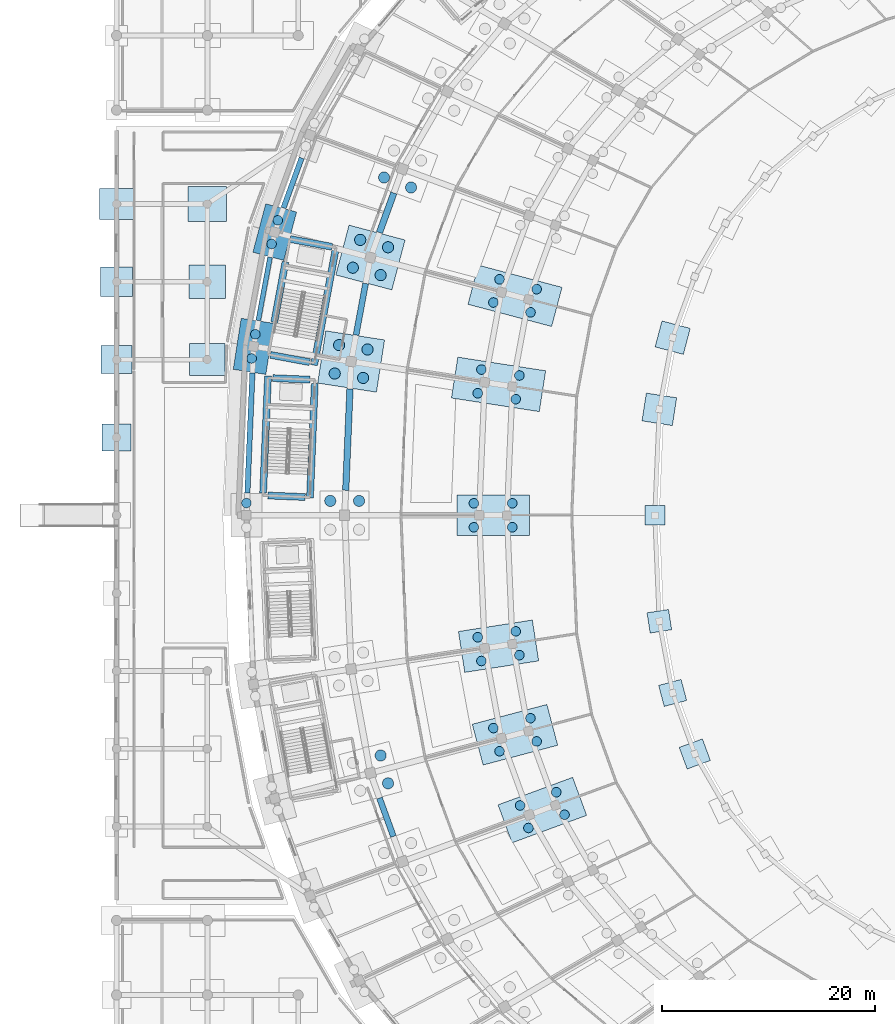
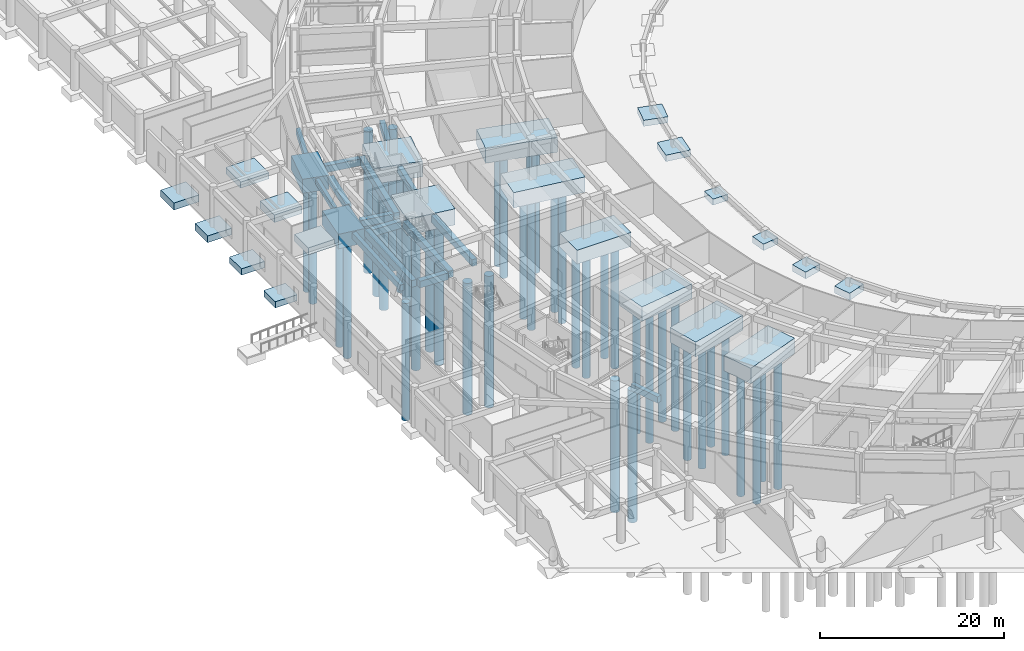
# One storey, part 4 of 88: 43 piles, 38 footings.
"""IFC4 building model written with IfcOpenShell, lengths in metres."""

from ifc_helpers import new_model, si_unit, direction, frame, origin, origin_2d, place, context, subcontext, project, spatial, rectangle, circle, extrude, material, material_profile, profile_set, type_object, element, save


model = new_model("IFC4")

# Units and contexts
model_context = context("Model", 3, precision=1e-05, world=origin(), true_north=direction((0.0, 1.0)))
body_context = subcontext(model_context, "Body", "Model", "MODEL_VIEW")
ifc_project = project(units=[si_unit("LENGTHUNIT", "METRE"), si_unit("AREAUNIT", "SQUARE_METRE"), si_unit("VOLUMEUNIT", "CUBIC_METRE"), si_unit("PLANEANGLEUNIT", "RADIAN"), si_unit("MASSUNIT", "GRAM", prefix="KILO")], contexts=[model_context])

# Site, building, storey
site_placement = place(None, origin())
site = spatial("IfcSite", under=ifc_project, at=site_placement, CompositionType="ELEMENT")
building_placement = place(site_placement, origin())
building = spatial("IfcBuilding", under=site, at=building_placement, Name="Mphavela Belvedere Stadium", CompositionType="ELEMENT")
storey_placement = place(building_placement, origin())
storey = spatial("IfcBuildingStorey", under=building, at=storey_placement, Name="L00", CompositionType="ELEMENT", Elevation=0.0)

# Footings
ifc_material_1 = material(Name="Concrete C35/45", Category="concrete")
footing_type_1 = type_object("IfcFootingType", Name="FTG-CORE-CF01", PredefinedType="PAD_FOOTING", material=ifc_material_1)
footing_1_placement = place(storey_placement, frame((19.570068359375, 106.697265625, -0.89990234375), z_axis=(0.0, 0.0, 1.0), x_axis=(0.182578735093, 0.983191235463, 0.0)))
element("IfcFooting", 1, at=footing_1_placement, inside=storey, type_object=footing_type_1, Name="Core C06 shear wall foundation pad front", PredefinedType="PAD_FOOTING", context=body_context, shape_type="SweptSolid", body=[
    extrude(rectangle(XDim=11.419921875, YDim=0.64990234375, at=origin_2d()), origin(), (0.0, 0.0, 1.0), 0.89990234375),
])
ifc_material_2 = material(Name="Concrete C35/45", Category="concrete")
footing_type_2 = type_object("IfcFootingType", Name="FTG-CORE-CF07", PredefinedType="PAD_FOOTING", material=ifc_material_2)
for number, where, z_axis, x_axis, name in (
    (2, (15.940673828125, 88.783203125, -0.89990234375), (0.0, 0.0, 1.0), (-0.999122830099, 0.041875653729, 0.0), "Core C07 shear wall foundation pad left"),
    (3, (16.402099609375, 99.79345703125, -0.89990234375), (0.0, 0.0, 1.0), (-0.999122830099, 0.041875653729, 0.0), "Core C07 shear wall foundation pad right"),
):
    element("IfcFooting", number, at=place(storey_placement, frame(where, z_axis=z_axis, x_axis=x_axis)), inside=storey, type_object=footing_type_2, Name=name, PredefinedType="PAD_FOOTING", context=body_context, shape_type="SweptSolid", body=[
        extrude(rectangle(XDim=3.5, YDim=0.64990234375, at=origin_2d()), origin(), (0.0, 0.0, 1.0), 0.89990234375),
    ])
ifc_material_3 = material(Name="Concrete C35/45", Category="concrete")
footing_type_3 = type_object("IfcFootingType", Name="FTG-CORE-CF08", PredefinedType="PAD_FOOTING", material=ifc_material_3)
footing_2_placement = place(storey_placement, frame((16.273681640625, 101.705322265625, -0.89990234375), z_axis=(0.0, 0.0, 1.0), x_axis=(-0.983191235463, 0.182578735093, 0.0)))
element("IfcFooting", 4, at=footing_2_placement, inside=storey, type_object=footing_type_3, Name="Core C06 shear wall foundation pad left", PredefinedType="PAD_FOOTING", context=body_context, shape_type="SweptSolid", body=[
    extrude(rectangle(XDim=3.75, YDim=0.64990234375, at=origin_2d()), origin(), (0.0, 0.0, 1.0), 0.89990234375),
])
ifc_material_4 = material(Name="Concrete C35/45", Category="concrete")
footing_type_4 = type_object("IfcFootingType", Name="FTG-CORE-CF09", PredefinedType="PAD_FOOTING", material=ifc_material_4)
footing_3_placement = place(storey_placement, frame((18.24951171875, 112.546875, -0.89990234375), z_axis=(0.0, 0.0, 1.0), x_axis=(-0.983191235463, 0.182578735093, 0.0)))
element("IfcFooting", 5, at=footing_3_placement, inside=storey, type_object=footing_type_4, Name="Core C06 shear wall foundation pad right", PredefinedType="PAD_FOOTING", context=body_context, shape_type="SweptSolid", body=[
    extrude(rectangle(XDim=4.0, YDim=0.64990234375, at=origin_2d()), origin(), (0.0, 0.0, 1.0), 0.89990234375),
])
ifc_material_5 = material(Name="Concrete C35/45", Category="concrete")
footing_type_5 = type_object("IfcFootingType", Name="FTG-CORE-CF13", PredefinedType="PAD_FOOTING", material=ifc_material_5)
footing_4_placement = place(storey_placement, frame((15.314697265625, 107.93603515625, -0.89990234375), z_axis=(0.0, 0.0, 1.0), x_axis=(0.182578735093, 0.983191235463, 0.0)))
element("IfcFooting", 6, at=footing_4_placement, inside=storey, type_object=footing_type_5, Name="Core C06 shear wall foundation pad rear", PredefinedType="PAD_FOOTING", context=body_context, shape_type="SweptSolid", body=[
    extrude(rectangle(XDim=5.75, YDim=0.64990234375, at=origin_2d()), origin(), (0.0, 0.0, 1.0), 0.89990234375),
])
ifc_material_6 = material(Name="Concrete C35/45", Category="concrete")
footing_type_6 = type_object("IfcFootingType", Name="FTG-CORE-CF24", PredefinedType="PAD_FOOTING", material=ifc_material_6)
footing_5_placement = place(storey_placement, frame((18.3662109375, 93.99755859375, -0.89990234375), z_axis=(0.0, 0.0, 1.0), x_axis=(0.041875653729, 0.999122830099, 0.0)))
element("IfcFooting", 7, at=footing_5_placement, inside=storey, type_object=footing_type_6, Name="Core C07 shear wall foundation pad front", PredefinedType="PAD_FOOTING", context=body_context, shape_type="SweptSolid", body=[
    extrude(rectangle(XDim=10.75, YDim=0.64990234375, at=origin_2d()), origin(), (0.0, 0.0, 1.0), 0.89990234375),
])
ifc_material_7 = material(Name="Concrete C35/45", Category="concrete")
footing_type_7 = type_object("IfcFootingType", Name="FTG-CORE-CF25", PredefinedType="PAD_FOOTING", material=ifc_material_7)
footing_6_placement = place(storey_placement, frame((13.976806640625, 94.580810546875, -0.89990234375), z_axis=(0.0, 0.0, 1.0), x_axis=(0.041875653729, 0.999122830099, 0.0)))
element("IfcFooting", 8, at=footing_6_placement, inside=storey, type_object=footing_type_7, Name="Core C07 shear wall foundation pad rear", PredefinedType="PAD_FOOTING", context=body_context, shape_type="SweptSolid", body=[
    extrude(rectangle(XDim=11.0, YDim=0.64990234375, at=origin_2d()), origin(), (0.0, 0.0, 1.0), 0.89990234375),
])
ifc_material_8 = material(Name="Concrete C35/45", Category="concrete")
ifc_material_profile_1 = material_profile(ifc_material_8, rectangle(XDim=0.449951171875, YDim=0.75, at=origin_2d()), Name="GB 450x750")
ifc_profile_set_1 = profile_set([ifc_material_profile_1], Name="Concrete C35/45")
footing_type_8 = type_object("IfcFootingType", Name="FTG-GB-01", PredefinedType="FOOTING_BEAM", material=ifc_profile_set_1)
footing_7_placement = place(storey_placement, frame((14.395751953125, 111.1953125, -0.5), z_axis=(-0.182627438799, -0.983182189931, 0.0), x_axis=(0.983182189931, -0.182627438799, 0.0)))
element("IfcFooting", 9, at=footing_7_placement, inside=storey, type_object=footing_type_8, Name="Ground tie-beam R4-23", PredefinedType="FOOTING_BEAM", context=body_context, shape_type="SweptSolid", body=[
    extrude(rectangle(XDim=0.449951171875, YDim=0.75, at=origin_2d()), origin(), (0.0, 0.0, 1.0), 6.0263671875),
])
ifc_material_9 = material(Name="Concrete C35/45", Category="concrete")
ifc_material_profile_2 = material_profile(ifc_material_9, rectangle(XDim=0.5, YDim=0.800048828125, at=origin_2d()), Name="GB 500x800")
ifc_profile_set_2 = profile_set([ifc_material_profile_2], Name="Concrete C35/45")
footing_type_9 = type_object("IfcFootingType", Name="FTG-GB-02", PredefinedType="FOOTING_BEAM", material=ifc_profile_set_2)
footing_8_placement = place(storey_placement, frame((17.35595703125, 120.510498046875, -0.5), z_axis=(-0.341041650333, -0.940048186392, 0.0), x_axis=(0.940048186392, -0.341041650333, 0.0)))
element("IfcFooting", 10, at=footing_8_placement, inside=storey, type_object=footing_type_9, Name="Ground tie-beam R4-22", PredefinedType="FOOTING_BEAM", context=body_context, shape_type="SweptSolid", body=[
    extrude(rectangle(XDim=0.5, YDim=0.800048828125, at=origin_2d()), origin(), (0.0, 0.0, 1.0), 4.975341796875),
])
footing_9_placement = place(storey_placement, frame((12.73974609375, 100.344482421875, -0.5), z_axis=(-0.041911924712, -0.999121309235, 0.0), x_axis=(0.999121309235, -0.041911924712, 0.0)))
element("IfcFooting", 11, at=footing_9_placement, inside=storey, type_object=footing_type_9, Name="Ground tie-beam R4-24", PredefinedType="FOOTING_BEAM", context=body_context, shape_type="SweptSolid", body=[
    extrude(rectangle(XDim=0.5, YDim=0.800048828125, at=origin_2d()), origin(), (0.0, 0.0, 1.0), 11.260009765625),
])
ifc_material_10 = material(Name="Concrete C35/45", Category="concrete")
ifc_material_profile_3 = material_profile(ifc_material_10, rectangle(XDim=0.550048828125, YDim=0.85009765625, at=origin_2d()), Name="GB 550x850")
ifc_profile_set_3 = profile_set([ifc_material_profile_3], Name="Concrete C35/45")
footing_type_10 = type_object("IfcFootingType", Name="FTG-GB-03", PredefinedType="FOOTING_BEAM", material=ifc_profile_set_3)
footing_10_placement = place(storey_placement, frame((23.359130859375, 108.74169921875, -0.550048828125), z_axis=(-0.182657995245, -0.983176513538, 0.0), x_axis=(0.983176513538, -0.182657995245, 0.0)))
element("IfcFooting", 12, at=footing_10_placement, inside=storey, type_object=footing_type_10, Name="Ground tie-beam R3-23", PredefinedType="FOOTING_BEAM", context=body_context, shape_type="SweptSolid", body=[
    extrude(rectangle(XDim=0.550048828125, YDim=0.85009765625, at=origin_2d()), origin(), (0.0, 0.0, 1.0), 4.918701171875),
])
footing_11_placement = place(storey_placement, frame((24.660888671875, 60.47900390625, -0.550048828125), z_axis=(0.341067056059, -0.940038969017, 0.0), x_axis=(0.940038969017, 0.341067056059, 0.0)))
element("IfcFooting", 13, at=footing_11_placement, inside=storey, type_object=footing_type_10, Name="Ground tie-beam R3-27", PredefinedType="FOOTING_BEAM", context=body_context, shape_type="SweptSolid", body=[
    extrude(rectangle(XDim=0.550048828125, YDim=0.85009765625, at=origin_2d()), origin(), (0.0, 0.0, 1.0), 3.828125),
])
ifc_material_11 = material(Name="Concrete C35/45", Category="concrete")
ifc_material_profile_4 = material_profile(ifc_material_11, rectangle(XDim=0.60009765625, YDim=0.89990234375, at=origin_2d()), Name="GB 600x900")
ifc_profile_set_4 = profile_set([ifc_material_profile_4], Name="Concrete C35/45")
footing_type_11 = type_object("IfcFootingType", Name="FTG-GB-04", PredefinedType="FOOTING_BEAM", material=ifc_profile_set_4)
footing_12_placement = place(storey_placement, frame((26.00732421875, 117.232421875, -0.550048828125), z_axis=(-0.341027620059, -0.940053276339, 0.0), x_axis=(0.940053276339, -0.341027620059, 0.0)))
element("IfcFooting", 14, at=footing_12_placement, inside=storey, type_object=footing_type_11, Name="Ground tie-beam R3-22", PredefinedType="FOOTING_BEAM", context=body_context, shape_type="SweptSolid", body=[
    extrude(rectangle(XDim=0.60009765625, YDim=0.89990234375, at=origin_2d()), origin(), (0.0, 0.0, 1.0), 3.946044921875),
])
footing_13_placement = place(storey_placement, frame((21.892578125, 98.863525390625, -0.550048828125), z_axis=(-0.04190666482, -0.999121529867, 0.0), x_axis=(0.999121529867, -0.04190666482, 0.0)))
element("IfcFooting", 15, at=footing_13_placement, inside=storey, type_object=footing_type_11, Name="Ground tie-beam R3-24", PredefinedType="FOOTING_BEAM", context=body_context, shape_type="SweptSolid", body=[
    extrude(rectangle(XDim=0.60009765625, YDim=0.89990234375, at=origin_2d()), origin(), (0.0, 0.0, 1.0), 9.525146484375),
])
ifc_material_12 = material(Name="Concrete C35/45", Category="concrete")
footing_type_12 = type_object("IfcFootingType", Name="FTG-PAD-01", PredefinedType="PAD_FOOTING", material=ifc_material_12)
footing_14_placement = place(storey_placement, frame((50.4951171875, 87.0, -0.7998046875), z_axis=(0.0, 0.0, 1.0), x_axis=(-1.0, 0.0, 0.0)))
element("IfcFooting", 16, at=footing_14_placement, inside=storey, type_object=footing_type_12, Name="Tier front pad footing 25", PredefinedType="PAD_FOOTING", context=body_context, shape_type="SweptSolid", body=[
    extrude(rectangle(XDim=1.89990234375, YDim=1.800048828125, at=origin_2d()), origin(), (0.0, 0.0, 1.0), 0.800048828125),
])
ifc_material_13 = material(Name="Concrete C35/45", Category="concrete")
footing_type_13 = type_object("IfcFootingType", Name="FTG-PAD-02", PredefinedType="PAD_FOOTING", material=ifc_material_13)
footing_15_placement = place(storey_placement, frame((50.911865234375, 77.0595703125, -0.83984375), z_axis=(0.0, 0.0, 1.0), x_axis=(-0.98817491911, -0.153330783737, 0.0)))
element("IfcFooting", 17, at=footing_15_placement, inside=storey, type_object=footing_type_13, Name="Tier front pad footing 26", PredefinedType="PAD_FOOTING", context=body_context, shape_type="SweptSolid", body=[
    extrude(rectangle(XDim=2.0400390625, YDim=1.919921875, at=origin_2d()), origin(), (0.0, 0.0, 1.0), 0.840087890625),
])
ifc_material_14 = material(Name="Concrete C35/45", Category="concrete")
footing_type_14 = type_object("IfcFootingType", Name="FTG-PAD-03", PredefinedType="PAD_FOOTING", material=ifc_material_14)
footing_16_placement = place(storey_placement, frame((52.160888671875, 70.335693359375, -0.8798828125), z_axis=(0.0, 0.0, 1.0), x_axis=(-0.966600102017, -0.256289373133, 0.0)))
element("IfcFooting", 18, at=footing_16_placement, inside=storey, type_object=footing_type_14, Name="Tier front pad footing 27", PredefinedType="PAD_FOOTING", context=body_context, shape_type="SweptSolid", body=[
    extrude(rectangle(XDim=2.179931640625, YDim=2.0400390625, at=origin_2d()), origin(), (0.0, 0.0, 1.0), 0.8798828125),
])
ifc_material_15 = material(Name="Concrete C35/45", Category="concrete")
footing_type_15 = type_object("IfcFootingType", Name="FTG-PAD-04", PredefinedType="PAD_FOOTING", material=ifc_material_15)
footing_17_placement = place(storey_placement, frame((54.236572265625, 64.614501953125, -0.919921875), z_axis=(0.0, 0.0, 1.0), x_axis=(-0.938372433776, -0.34562577382, 0.0)))
element("IfcFooting", 19, at=footing_17_placement, inside=storey, type_object=footing_type_15, Name="Tier front pad footing 28", PredefinedType="PAD_FOOTING", context=body_context, shape_type="SweptSolid", body=[
    extrude(rectangle(XDim=2.320068359375, YDim=2.159912109375, at=origin_2d()), origin(), (0.0, 0.0, 1.0), 0.919921875),
])
ifc_material_16 = material(Name="Concrete C35/45", Category="concrete")
footing_type_16 = type_object("IfcFootingType", Name="FTG-PAD-07", PredefinedType="PAD_FOOTING", material=ifc_material_16)
for number, where, z_axis, x_axis, name in (
    (20, (52.160888671875, 103.664306640625, -0.7998046875), (0.0, 0.0, 1.0), (-0.966600102017, 0.256289373133, 0.0), "Tier front pad footing 23"),
    (21, (0.0, 94.300048828125, -0.7998046875), (0.0, 0.0, 1.0), (1.0, 0.0, 0.0), "West Planted Eaves Peristyle Colonnade pad footing 1-7"),
):
    element("IfcFooting", number, at=place(storey_placement, frame(where, z_axis=z_axis, x_axis=x_axis)), inside=storey, type_object=footing_type_16, Name=name, PredefinedType="PAD_FOOTING", context=body_context, shape_type="SweptSolid", body=[
        extrude(rectangle(XDim=2.739990234375, YDim=2.52001953125, at=origin_2d()), origin(), (0.0, 0.0, 1.0), 0.800048828125),
    ])
ifc_material_17 = material(Name="Concrete C35/45", Category="concrete")
footing_type_17 = type_object("IfcFootingType", Name="FTG-PAD-08", PredefinedType="PAD_FOOTING", material=ifc_material_17)
for number, where, z_axis, x_axis, name in (
    (22, (50.911865234375, 96.9404296875, -0.83984375), (0.0, 0.0, 1.0), (-0.98817491911, 0.153330783737, 0.0), "Tier front pad footing 24"),
    (23, (0.0, 101.60009765625, -0.83984375), (0.0, 0.0, 1.0), (1.0, 0.0, 0.0), "West Planted Eaves Peristyle Colonnade pad footing 1-8"),
):
    element("IfcFooting", number, at=place(storey_placement, frame(where, z_axis=z_axis, x_axis=x_axis)), inside=storey, type_object=footing_type_17, Name=name, PredefinedType="PAD_FOOTING", context=body_context, shape_type="SweptSolid", body=[
        extrude(rectangle(XDim=2.8798828125, YDim=2.639892578125, at=origin_2d()), origin(), (0.0, 0.0, 1.0), 0.840087890625),
    ])
ifc_material_18 = material(Name="Concrete C35/45", Category="concrete")
footing_type_18 = type_object("IfcFootingType", Name="FTG-PAD-09", PredefinedType="PAD_FOOTING", material=ifc_material_18)
footing_18_placement = place(storey_placement, frame((0.0, 108.89990234375, -0.8798828125), z_axis=(0.0, 0.0, 1.0), x_axis=(1.0, 0.0, 0.0)))
element("IfcFooting", 24, at=footing_18_placement, inside=storey, type_object=footing_type_18, Name="West Planted Eaves Peristyle Colonnade pad footing 1-9", PredefinedType="PAD_FOOTING", context=body_context, shape_type="SweptSolid", body=[
    extrude(rectangle(XDim=3.02001953125, YDim=2.760009765625, at=origin_2d()), origin(), (0.0, 0.0, 1.0), 0.8798828125),
])
ifc_material_19 = material(Name="Concrete C35/45", Category="concrete")
footing_type_19 = type_object("IfcFootingType", Name="FTG-PAD-10", PredefinedType="PAD_FOOTING", material=ifc_material_19)
footing_19_placement = place(storey_placement, frame((0.0, 116.199951171875, -0.919921875), z_axis=(0.0, 0.0, 1.0), x_axis=(1.0, 0.0, 0.0)))
element("IfcFooting", 25, at=footing_19_placement, inside=storey, type_object=footing_type_19, Name="West Planted Eaves Peristyle Colonnade pad footing 1-10", PredefinedType="PAD_FOOTING", context=body_context, shape_type="SweptSolid", body=[
    extrude(rectangle(XDim=3.159912109375, YDim=2.8798828125, at=origin_2d()), origin(), (0.0, 0.0, 1.0), 0.919921875),
])
ifc_material_20 = material(Name="Concrete C35/45", Category="concrete")
footing_type_20 = type_object("IfcFootingType", Name="FTG-PAD-11", PredefinedType="PAD_FOOTING", material=ifc_material_20)
footing_20_placement = place(storey_placement, frame((8.5, 101.60009765625, -0.9599609375), z_axis=(0.0, 0.0, 1.0), x_axis=(1.0, 0.0, 0.0)))
element("IfcFooting", 26, at=footing_20_placement, inside=storey, type_object=footing_type_20, Name="West Planted Eaves Peristyle Colonnade pad footing 2-8", PredefinedType="PAD_FOOTING", context=body_context, shape_type="SweptSolid", body=[
    extrude(rectangle(XDim=3.300048828125, YDim=3.0, at=origin_2d()), origin(), (0.0, 0.0, 1.0), 0.9599609375),
])
ifc_material_21 = material(Name="Concrete C35/45", Category="concrete")
footing_type_21 = type_object("IfcFootingType", Name="FTG-PAD-12", PredefinedType="PAD_FOOTING", material=ifc_material_21)
footing_21_placement = place(storey_placement, frame((8.5, 108.89990234375, -1.0), z_axis=(0.0, 0.0, 1.0), x_axis=(1.0, 0.0, 0.0)))
element("IfcFooting", 27, at=footing_21_placement, inside=storey, type_object=footing_type_21, Name="West Planted Eaves Peristyle Colonnade pad footing 2-9", PredefinedType="PAD_FOOTING", context=body_context, shape_type="SweptSolid", body=[
    extrude(rectangle(XDim=3.43994140625, YDim=3.1201171875, at=origin_2d()), origin(), (0.0, 0.0, 1.0), 1.0),
])
ifc_material_22 = material(Name="Concrete C35/45", Category="concrete")
footing_type_22 = type_object("IfcFootingType", Name="FTG-PAD-13", PredefinedType="PAD_FOOTING", material=ifc_material_22)
footing_22_placement = place(storey_placement, frame((8.5, 116.199951171875, -0.7998046875), z_axis=(0.0, 0.0, 1.0), x_axis=(1.0, 0.0, 0.0)))
element("IfcFooting", 28, at=footing_22_placement, inside=storey, type_object=footing_type_22, Name="West Planted Eaves Peristyle Colonnade pad footing 2-10", PredefinedType="PAD_FOOTING", context=body_context, shape_type="SweptSolid", body=[
    extrude(rectangle(XDim=3.580078125, YDim=3.239990234375, at=origin_2d()), origin(), (0.0, 0.0, 1.0), 0.800048828125),
])
ifc_material_23 = material(Name="Concrete C35/45", Category="concrete")
footing_type_23 = type_object("IfcFootingType", Name="FTG-PC-R12-01", PredefinedType="PILE_CAP", material=ifc_material_23)
footing_23_placement = place(storey_placement, frame((35.314453125, 87.0, -1.85009765625), z_axis=(0.0, 0.0, 1.0), x_axis=(-1.0, 0.0, 0.0)))
element("IfcFooting", 29, at=footing_23_placement, inside=storey, type_object=footing_type_23, Name="Bowl inner pile cap 25", PredefinedType="PILE_CAP", context=body_context, shape_type="SweptSolid", body=[
    extrude(rectangle(XDim=6.800048828125, YDim=3.800048828125, at=origin_2d()), origin(), (0.0, 0.0, 1.0), 1.85009765625),
])
ifc_material_24 = material(Name="Concrete C35/45", Category="concrete")
footing_type_24 = type_object("IfcFootingType", Name="FTG-PC-R12-02", PredefinedType="PILE_CAP", material=ifc_material_24)
footing_24_placement = place(storey_placement, frame((35.82958984375, 74.72021484375, -1.91015625), z_axis=(0.0, 0.0, 1.0), x_axis=(-0.98817491911, -0.153330783737, 0.0)))
element("IfcFooting", 30, at=footing_24_placement, inside=storey, type_object=footing_type_24, Name="Bowl inner pile cap 26", PredefinedType="PILE_CAP", context=body_context, shape_type="SweptSolid", body=[
    extrude(rectangle(XDim=7.02001953125, YDim=3.8798828125, at=origin_2d()), origin(), (0.0, 0.0, 1.0), 1.909912109375),
])
ifc_material_25 = material(Name="Concrete C35/45", Category="concrete")
footing_type_25 = type_object("IfcFootingType", Name="FTG-PC-R12-03", PredefinedType="PILE_CAP", material=ifc_material_25)
footing_25_placement = place(storey_placement, frame((37.372314453125, 66.4140625, -1.97021484375), z_axis=(0.0, 0.0, 1.0), x_axis=(-0.966600102017, -0.256289373133, 0.0)))
element("IfcFooting", 31, at=footing_25_placement, inside=storey, type_object=footing_type_25, Name="Bowl inner pile cap 27", PredefinedType="PILE_CAP", context=body_context, shape_type="SweptSolid", body=[
    extrude(rectangle(XDim=7.239990234375, YDim=3.9599609375, at=origin_2d()), origin(), (0.0, 0.0, 1.0), 1.969970703125),
])
ifc_material_26 = material(Name="Concrete C35/45", Category="concrete")
footing_type_26 = type_object("IfcFootingType", Name="FTG-PC-R12-04", PredefinedType="PILE_CAP", material=ifc_material_26)
footing_26_placement = place(storey_placement, frame((39.9365234375, 59.34619140625, -2.02978515625), z_axis=(0.0, 0.0, 1.0), x_axis=(-0.938372433776, -0.34562577382, 0.0)))
element("IfcFooting", 32, at=footing_26_placement, inside=storey, type_object=footing_type_26, Name="Bowl inner pile cap 28", PredefinedType="PILE_CAP", context=body_context, shape_type="SweptSolid", body=[
    extrude(rectangle(XDim=7.4599609375, YDim=3.800048828125, at=origin_2d()), origin(), (0.0, 0.0, 1.0), 2.030029296875),
])
ifc_material_27 = material(Name="Concrete C35/45", Category="concrete")
footing_type_27 = type_object("IfcFootingType", Name="FTG-PC-R12-07", PredefinedType="PILE_CAP", material=ifc_material_27)
footing_27_placement = place(storey_placement, frame((37.372314453125, 107.5859375, -1.97021484375), z_axis=(0.0, 0.0, 1.0), x_axis=(-0.966600102017, 0.256289373133, 0.0)))
element("IfcFooting", 33, at=footing_27_placement, inside=storey, type_object=footing_type_27, Name="Bowl inner pile cap 23", PredefinedType="PILE_CAP", context=body_context, shape_type="SweptSolid", body=[
    extrude(rectangle(XDim=8.1201171875, YDim=3.800048828125, at=origin_2d()), origin(), (0.0, 0.0, 1.0), 1.969970703125),
])
ifc_material_28 = material(Name="Concrete C35/45", Category="concrete")
footing_type_28 = type_object("IfcFootingType", Name="FTG-PC-R12-08", PredefinedType="PILE_CAP", material=ifc_material_28)
footing_28_placement = place(storey_placement, frame((35.82958984375, 99.27978515625, -2.02978515625), z_axis=(0.0, 0.0, 1.0), x_axis=(-0.98817491911, 0.153330783737, 0.0)))
element("IfcFooting", 34, at=footing_28_placement, inside=storey, type_object=footing_type_28, Name="Bowl inner pile cap 24", PredefinedType="PILE_CAP", context=body_context, shape_type="SweptSolid", body=[
    extrude(rectangle(XDim=8.340087890625, YDim=3.8798828125, at=origin_2d()), origin(), (0.0, 0.0, 1.0), 2.030029296875),
])
ifc_material_29 = material(Name="Concrete C35/45", Category="concrete")
footing_type_29 = type_object("IfcFootingType", Name="FTG-PC-R3-07", PredefinedType="PILE_CAP", material=ifc_material_29)
footing_29_placement = place(storey_placement, frame((23.8125, 111.181884765625, -2.06982421875), z_axis=(0.0, 0.0, 1.0), x_axis=(-0.966600102017, 0.256289373133, 0.0)))
element("IfcFooting", 35, at=footing_29_placement, inside=storey, type_object=footing_type_29, Name="Bowl main pile cap 23", PredefinedType="PILE_CAP", context=body_context, shape_type="SweptSolid", body=[
    extrude(rectangle(XDim=5.43994140625, YDim=4.840087890625, at=origin_2d()), origin(), (0.0, 0.0, 1.0), 2.070068359375),
])
ifc_material_30 = material(Name="Concrete C35/45", Category="concrete")
footing_type_30 = type_object("IfcFootingType", Name="FTG-PC-R3-08", PredefinedType="PILE_CAP", material=ifc_material_30)
footing_30_placement = place(storey_placement, frame((22.0, 101.4248046875, -2.1298828125), z_axis=(0.0, 0.0, 1.0), x_axis=(-0.98817491911, 0.153330783737, 0.0)))
element("IfcFooting", 36, at=footing_30_placement, inside=storey, type_object=footing_type_30, Name="Bowl main pile cap 24", PredefinedType="PILE_CAP", context=body_context, shape_type="SweptSolid", body=[
    extrude(rectangle(XDim=5.580078125, YDim=4.9599609375, at=origin_2d()), origin(), (0.0, 0.0, 1.0), 2.1298828125),
])
ifc_material_31 = material(Name="Concrete C35/45", Category="concrete")
footing_type_31 = type_object("IfcFootingType", Name="FTG-PC-R4-05", PredefinedType="PILE_CAP", material=ifc_material_31)
footing_31_placement = place(storey_placement, frame((14.83544921875, 113.5625, -1.85986328125), z_axis=(0.0, 0.0, 1.0), x_axis=(-0.256289373133, -0.966600102017, 0.0)))
element("IfcFooting", 37, at=footing_31_placement, inside=storey, type_object=footing_type_31, Name="Perimeter colonnade pile cap 23", PredefinedType="PILE_CAP", context=body_context, shape_type="SweptSolid", body=[
    extrude(rectangle(XDim=4.699951171875, YDim=3.0, at=origin_2d()), origin(), (0.0, 0.0, 1.0), 1.860107421875),
])
ifc_material_32 = material(Name="Concrete C35/45", Category="concrete")
footing_type_32 = type_object("IfcFootingType", Name="FTG-PC-R4-06", PredefinedType="PILE_CAP", material=ifc_material_32)
footing_32_placement = place(storey_placement, frame((12.844482421875, 102.844970703125, -1.919921875), z_axis=(0.0, 0.0, 1.0), x_axis=(-0.153330783737, -0.98817491911, 0.0)))
element("IfcFooting", 38, at=footing_32_placement, inside=storey, type_object=footing_type_32, Name="Perimeter colonnade pile cap 24", PredefinedType="PILE_CAP", context=body_context, shape_type="SweptSolid", body=[
    extrude(rectangle(XDim=4.85009765625, YDim=3.10009765625, at=origin_2d()), origin(), (0.0, 0.0, 1.0), 1.919921875),
])

# Piles
ifc_material_33 = material(Name="Concrete C35/45", Category="concrete")
ifc_material_profile_5 = material_profile(ifc_material_33, circle(Radius=0.52490234375, at=origin_2d()), Name="BP D1050")
ifc_profile_set_5 = profile_set([ifc_material_profile_5], Name="Concrete C35/45")
pile_type_1 = type_object("IfcPileType", Name="PIL-BP1050-A", PredefinedType="BORED", material=ifc_profile_set_5)
for number, where, z_axis, x_axis, name in (
    (39, (25.46337890625, 112.140625, -1.969970703125), (0.0, 0.0, -1.0), (1.0, 0.0, 0.0), "Bored pile R3-23-1"),
    (40, (24.771240234375, 109.531005859375, -1.969970703125), (0.0, 0.0, -1.0), (1.0, 0.0, 0.0), "Bored pile R3-23-2"),
    (41, (22.853515625, 112.832763671875, -1.969970703125), (0.0, 0.0, -1.0), (1.0, 0.0, 0.0), "Bored pile R3-23-3"),
    (42, (22.16162109375, 110.22314453125, -1.969970703125), (0.0, 0.0, -1.0), (1.0, 0.0, 0.0), "Bored pile R3-23-4"),
    (43, (22.7451171875, 88.35009765625, -1.85009765625), (0.0, 0.0, -1.0), (1.0, 0.0, 0.0), "Bored pile R3-25-1"),
    (44, (20.044921875, 88.35009765625, -1.85009765625), (0.0, 0.0, -1.0), (1.0, 0.0, 0.0), "Bored pile R3-25-3"),
    (45, (24.771240234375, 64.468994140625, -1.969970703125), (0.0, 0.0, -1.0), (1.0, 0.0, 0.0), "Bored pile R3-27-1"),
    (46, (25.46337890625, 61.859375, -1.969970703125), (0.0, 0.0, -1.0), (1.0, 0.0, 0.0), "Bored pile R3-27-2"),
):
    element("IfcPile", number, at=place(storey_placement, frame(where, z_axis=z_axis, x_axis=x_axis)), inside=storey, type_object=pile_type_1, Name=name, PredefinedType="BORED", context=body_context, shape_type="SweptSolid", body=[
        extrude(circle(Radius=0.52490234375, at=origin_2d()), origin(), (0.0, 0.0, 1.0), 17.5),
    ])
ifc_material_34 = material(Name="Concrete C35/45", Category="concrete")
ifc_material_profile_6 = material_profile(ifc_material_34, circle(Radius=0.52490234375, at=origin_2d()), Name="BP D1050")
ifc_profile_set_6 = profile_set([ifc_material_profile_6], Name="Concrete C35/45")
pile_type_2 = type_object("IfcPileType", Name="PIL-BP1050-B", PredefinedType="BORED", material=ifc_profile_set_6)
for number, where, z_axis, x_axis, name in (
    (47, (27.62451171875, 117.750732421875, -1.909912109375), (0.0, 0.0, -1.0), (1.0, 0.0, 0.0), "Bored pile R3-22-2"),
    (48, (25.0908203125, 118.68408203125, -1.909912109375), (0.0, 0.0, -1.0), (1.0, 0.0, 0.0), "Bored pile R3-22-4"),
    (49, (23.541015625, 102.552001953125, -2.030029296875), (0.0, 0.0, -1.0), (1.0, 0.0, 0.0), "Bored pile R3-24-1"),
    (50, (23.127197265625, 99.8837890625, -2.030029296875), (0.0, 0.0, -1.0), (1.0, 0.0, 0.0), "Bored pile R3-24-2"),
    (51, (20.872802734375, 102.9658203125, -2.030029296875), (0.0, 0.0, -1.0), (1.0, 0.0, 0.0), "Bored pile R3-24-3"),
    (52, (20.458984375, 100.2978515625, -2.030029296875), (0.0, 0.0, -1.0), (1.0, 0.0, 0.0), "Bored pile R3-24-4"),
):
    element("IfcPile", number, at=place(storey_placement, frame(where, z_axis=z_axis, x_axis=x_axis)), inside=storey, type_object=pile_type_2, Name=name, PredefinedType="BORED", context=body_context, shape_type="SweptSolid", body=[
        extrude(circle(Radius=0.52490234375, at=origin_2d()), origin(), (0.0, 0.0, 1.0), 18.800048828125),
    ])
ifc_material_35 = material(Name="Concrete C35/45", Category="concrete")
ifc_material_profile_7 = material_profile(ifc_material_35, circle(Radius=0.449951171875, at=origin_2d()), Name="BP D900")
ifc_profile_set_7 = profile_set([ifc_material_profile_7], Name="Concrete C35/45")
pile_type_3 = type_object("IfcPileType", Name="PIL-BP900-A", PredefinedType="BORED", material=ifc_profile_set_7)
for number, where, z_axis, x_axis, name in (
    (53, (39.400634765625, 108.2119140625, -1.8701171875), (0.0, 0.0, -1.0), (1.0, 0.0, 0.0), "Bored pile R12-23-1"),
    (54, (38.823974609375, 106.037109375, -1.8701171875), (0.0, 0.0, -1.0), (1.0, 0.0, 0.0), "Bored pile R12-23-2"),
    (55, (35.9208984375, 109.134765625, -1.8701171875), (0.0, 0.0, -1.0), (1.0, 0.0, 0.0), "Bored pile R12-23-3"),
    (56, (35.34423828125, 106.9599609375, -1.8701171875), (0.0, 0.0, -1.0), (1.0, 0.0, 0.0), "Bored pile R12-23-4"),
):
    element("IfcPile", number, at=place(storey_placement, frame(where, z_axis=z_axis, x_axis=x_axis)), inside=storey, type_object=pile_type_3, Name=name, PredefinedType="BORED", context=body_context, shape_type="SweptSolid", body=[
        extrude(circle(Radius=0.449951171875, at=origin_2d()), origin(), (0.0, 0.0, 1.0), 16.0),
    ])
for number, where, z_axis, x_axis, name in (
    (57, (15.130126953125, 114.674072265625, -1.760009765625), (0.0, 0.0, -1.0), (1.0, 0.0, 0.0), "Bored pile R4-23-1"),
    (58, (14.54052734375, 112.450927734375, -1.760009765625), (0.0, 0.0, -1.0), (1.0, 0.0, 0.0), "Bored pile R4-23-2"),
    (59, (13.02099609375, 103.9814453125, -1.820068359375), (0.0, 0.0, -1.0), (1.0, 0.0, 0.0), "Bored pile R4-24-1"),
    (60, (12.668212890625, 101.70849609375, -1.820068359375), (0.0, 0.0, -1.0), (1.0, 0.0, 0.0), "Bored pile R4-24-2"),
):
    element("IfcPile", number, at=place(storey_placement, frame(where, z_axis=z_axis, x_axis=x_axis)), inside=storey, type_object=pile_type_3, Name=name, PredefinedType="BORED", context=body_context, shape_type="SweptSolid", body=[
        extrude(circle(Radius=0.449951171875, at=origin_2d()), origin(), (0.0, 0.0, 1.0), 15.60009765625),
    ])
for number, where, z_axis, x_axis, name in (
    (61, (37.114501953125, 88.125, -1.75), (0.0, 0.0, -1.0), (1.0, 0.0, 0.0), "Bored pile R12-25-1"),
    (62, (37.114501953125, 85.875, -1.75), (0.0, 0.0, -1.0), (1.0, 0.0, 0.0), "Bored pile R12-25-2"),
    (63, (33.514404296875, 88.125, -1.75), (0.0, 0.0, -1.0), (1.0, 0.0, 0.0), "Bored pile R12-25-3"),
    (64, (33.514404296875, 85.875, -1.75), (0.0, 0.0, -1.0), (1.0, 0.0, 0.0), "Bored pile R12-25-4"),
):
    element("IfcPile", number, at=place(storey_placement, frame(where, z_axis=z_axis, x_axis=x_axis)), inside=storey, type_object=pile_type_3, Name=name, PredefinedType="BORED", context=body_context, shape_type="SweptSolid", body=[
        extrude(circle(Radius=0.449951171875, at=origin_2d()), origin(), (0.0, 0.0, 1.0), 16.0),
    ])
pile_placement = place(storey_placement, frame((12.179931640625, 88.14990234375, -1.699951171875), z_axis=(0.0, 0.0, -1.0), x_axis=(1.0, 0.0, 0.0)))
element("IfcPile", 65, at=pile_placement, inside=storey, type_object=pile_type_3, Name="Bored pile R4-25-1", PredefinedType="BORED", context=body_context, shape_type="SweptSolid", body=[
    extrude(circle(Radius=0.449951171875, at=origin_2d()), origin(), (0.0, 0.0, 1.0), 15.60009765625),
])
for number, where, z_axis, x_axis, name in (
    (66, (38.823974609375, 67.962890625, -1.8701171875), (0.0, 0.0, -1.0), (1.0, 0.0, 0.0), "Bored pile R12-27-1"),
    (67, (39.400634765625, 65.7880859375, -1.8701171875), (0.0, 0.0, -1.0), (1.0, 0.0, 0.0), "Bored pile R12-27-2"),
    (68, (35.34423828125, 67.0400390625, -1.8701171875), (0.0, 0.0, -1.0), (1.0, 0.0, 0.0), "Bored pile R12-27-3"),
    (69, (35.9208984375, 64.865234375, -1.8701171875), (0.0, 0.0, -1.0), (1.0, 0.0, 0.0), "Bored pile R12-27-4"),
):
    element("IfcPile", number, at=place(storey_placement, frame(where, z_axis=z_axis, x_axis=x_axis)), inside=storey, type_object=pile_type_3, Name=name, PredefinedType="BORED", context=body_context, shape_type="SweptSolid", body=[
        extrude(circle(Radius=0.449951171875, at=origin_2d()), origin(), (0.0, 0.0, 1.0), 16.0),
    ])
ifc_material_36 = material(Name="Concrete C35/45", Category="concrete")
ifc_material_profile_8 = material_profile(ifc_material_36, circle(Radius=0.449951171875, at=origin_2d()), Name="BP D900")
ifc_profile_set_8 = profile_set([ifc_material_profile_8], Name="Concrete C35/45")
pile_type_4 = type_object("IfcPileType", Name="PIL-BP900-B", PredefinedType="BORED", material=ifc_profile_set_8)
for number, where, z_axis, x_axis, name in (
    (70, (37.78076171875, 100.11572265625, -1.929931640625), (0.0, 0.0, -1.0), (1.0, 0.0, 0.0), "Bored pile R12-24-1"),
    (71, (37.435791015625, 97.892333984375, -1.929931640625), (0.0, 0.0, -1.0), (1.0, 0.0, 0.0), "Bored pile R12-24-2"),
    (72, (34.22314453125, 100.66748046875, -1.929931640625), (0.0, 0.0, -1.0), (1.0, 0.0, 0.0), "Bored pile R12-24-3"),
    (73, (33.87841796875, 98.444091796875, -1.929931640625), (0.0, 0.0, -1.0), (1.0, 0.0, 0.0), "Bored pile R12-24-4"),
    (74, (37.435791015625, 76.107666015625, -1.81005859375), (0.0, 0.0, -1.0), (1.0, 0.0, 0.0), "Bored pile R12-26-1"),
    (75, (37.78076171875, 73.88427734375, -1.81005859375), (0.0, 0.0, -1.0), (1.0, 0.0, 0.0), "Bored pile R12-26-2"),
    (76, (33.87841796875, 75.555908203125, -1.81005859375), (0.0, 0.0, -1.0), (1.0, 0.0, 0.0), "Bored pile R12-26-3"),
    (77, (34.22314453125, 73.33251953125, -1.81005859375), (0.0, 0.0, -1.0), (1.0, 0.0, 0.0), "Bored pile R12-26-4"),
    (78, (41.236572265625, 61.024169921875, -1.929931640625), (0.0, 0.0, -1.0), (1.0, 0.0, 0.0), "Bored pile R12-28-1"),
    (79, (42.014404296875, 58.912841796875, -1.929931640625), (0.0, 0.0, -1.0), (1.0, 0.0, 0.0), "Bored pile R12-28-2"),
    (80, (37.858642578125, 59.779541015625, -1.929931640625), (0.0, 0.0, -1.0), (1.0, 0.0, 0.0), "Bored pile R12-28-3"),
    (81, (38.636474609375, 57.668212890625, -1.929931640625), (0.0, 0.0, -1.0), (1.0, 0.0, 0.0), "Bored pile R12-28-4"),
):
    element("IfcPile", number, at=place(storey_placement, frame(where, z_axis=z_axis, x_axis=x_axis)), inside=storey, type_object=pile_type_4, Name=name, PredefinedType="BORED", context=body_context, shape_type="SweptSolid", body=[
        extrude(circle(Radius=0.449951171875, at=origin_2d()), origin(), (0.0, 0.0, 1.0), 17.199951171875),
    ])

save(model, "model.ifc")
